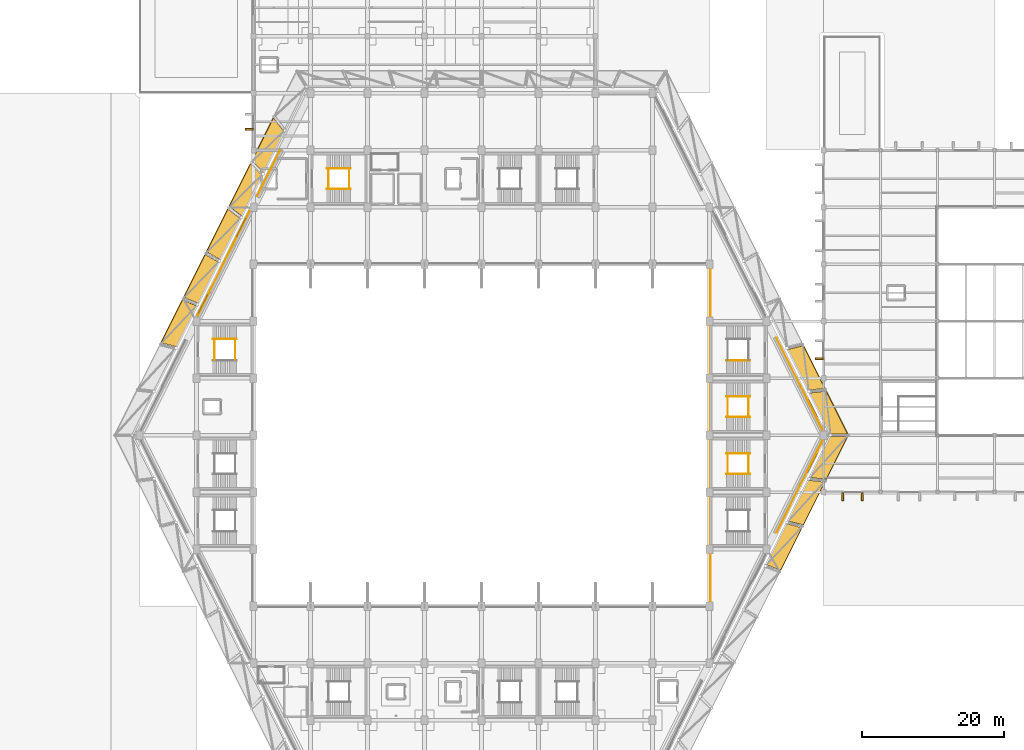
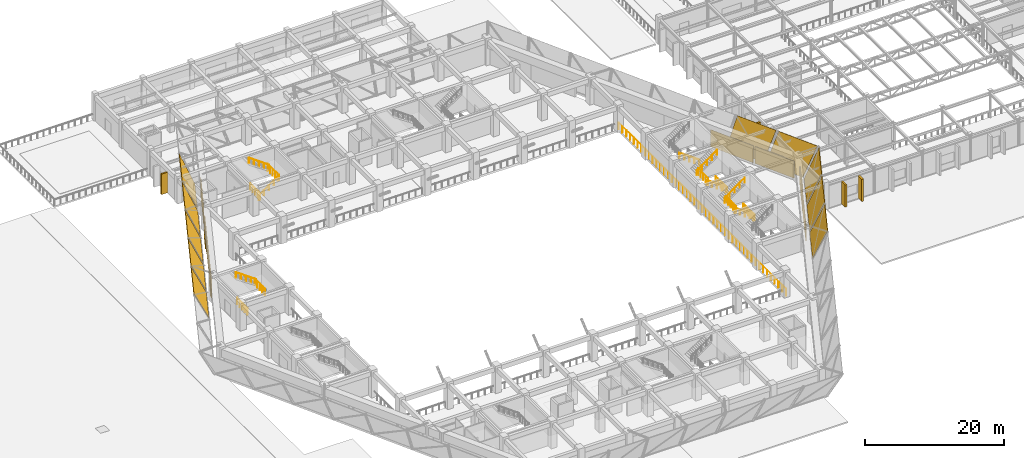
# One storey, part 43 of 46: 22 coverings, 17 railings, 4 shading devices.
"""IFC4 building model written with IfcOpenShell, lengths in metres."""

from ifc_helpers import new_model, si_unit, direction, frame, origin, origin_2d, place, context, subcontext, project, spatial, polyline, rectangle, circle, outline, extrude, material, layer, layer_set, type_object, element, save


model = new_model("IFC4")

# Units and contexts
model_context = context("Model", 3, precision=1e-05, world=origin(), true_north=direction((0.0, 1.0)))
body_context = subcontext(model_context, "Body", "Model", "MODEL_VIEW")
ifc_project = project(units=[si_unit("LENGTHUNIT", "METRE"), si_unit("AREAUNIT", "SQUARE_METRE"), si_unit("VOLUMEUNIT", "CUBIC_METRE"), si_unit("PLANEANGLEUNIT", "RADIAN"), si_unit("MASSUNIT", "GRAM", prefix="KILO")], contexts=[model_context])

# Site, building, storey
site_placement = place(None, origin())
site = spatial("IfcSite", under=ifc_project, at=site_placement, CompositionType="ELEMENT")
building_placement = place(site_placement, origin())
building = spatial("IfcBuilding", under=site, at=building_placement, Name="Tazarka Park Arena", CompositionType="ELEMENT")
storey_placement = place(building_placement, frame((0.0, 0.0, 10.199951171875)))
storey = spatial("IfcBuildingStorey", under=building, at=storey_placement, Name="L02", CompositionType="ELEMENT", Elevation=10.199951171875)

# Coverings
ifc_material_1 = material(Name="Dark ribbed perforated bronze-charcoal aluminium mesh", Category="aluminium")
ifc_layer = layer(ifc_material_1, 0.06005859375, Name="Dark ribbed perforated bronze-charcoal aluminium mesh")
ifc_layer_set = layer_set([ifc_layer], Name="Dark ribbed perforated bronze-charcoal aluminium mesh")
covering_type = type_object("IfcCoveringType", Name="CLD-01", PredefinedType="CLADDING", material=ifc_layer_set)
covering_1_placement = place(storey_placement, frame((127.935302734375, 45.858154296875, 0.150146484375), z_axis=(-0.808492620467, 0.404263181245, 0.427680912526), x_axis=(0.447225795617, 0.894421090814, -6.453659e-06)))
element("IfcCovering", 1, at=covering_1_placement, inside=storey, type_object=covering_type, Name="Folded Gem Lower Ribbed Mesh Facet 014", PredefinedType="CLADDING", context=body_context, shape_type="SweptSolid", body=[
    extrude(outline(polyline([(0.0, 0.0), (6.396486447603053, 0.0), (6.871760077339094, -5.1441459541580175), (0.18746722109252506, -5.144052563182119), (0.0, 0.0)])), origin(), (0.0, 0.0, -1.0), 0.080078125),
])
covering_2_placement = place(storey_placement, frame((130.991455078125, 51.970703125, 0.150146484375), z_axis=(-0.808498343204, 0.404240736212, 0.427691309502), x_axis=(0.447207495521, 0.894430240958, 3.226863e-06)))
element("IfcCovering", 2, at=covering_2_placement, inside=storey, type_object=covering_type, Name="Folded Gem Lower Ribbed Mesh Facet 015", PredefinedType="CLADDING", context=body_context, shape_type="SweptSolid", body=[
    extrude(outline(polyline([(0.0, 0.0), (6.396486448149249, 0.0), (7.1793286066740025, -5.144099258387312), (0.49492656908388255, -5.144145955010431), (0.0, 0.0)])), origin(), (0.0, 0.0, -1.0), 0.080078125),
])
covering_3_placement = place(storey_placement, frame((134.0478515625, 58.0830078125, 0.150146484375), z_axis=(-0.808506336195, 0.404253168098, 0.427664448388), x_axis=(0.447210803265, 0.894428587087, -6.598426e-06)))
element("IfcCovering", 3, at=covering_3_placement, inside=storey, type_object=covering_type, Name="Folded Gem Lower Ribbed Mesh Facet 016", PredefinedType="CLADDING", context=body_context, shape_type="SweptSolid", body=[
    extrude(outline(polyline([(0.0, 0.0), (6.39670481451516, -2.220446049250313e-16), (7.486859586412662, -5.144107215608335), (0.8023483668891396, -5.144011727342346), (0.0, 0.0)])), origin(), (0.0, 0.0, -1.0), 0.080078125),
])
covering_4_placement = place(storey_placement, frame((136.908447265625, 64.195556640625, 0.150146484375), z_axis=(-0.808506336195, -0.404253168098, 0.427664448388), x_axis=(-0.447210803265, 0.894428587087, 6.598426e-06)))
element("IfcCovering", 4, at=covering_4_placement, inside=storey, type_object=covering_type, Name="Folded Gem Lower Ribbed Mesh Facet 017", PredefinedType="CLADDING", context=body_context, shape_type="SweptSolid", body=[
    extrude(outline(polyline([(0.0, 0.0), (6.39670481451516, 2.220446049250313e-16), (5.59435644762602, -5.144011727342346), (-1.0901547718975038, -5.144107215608335), (0.0, 0.0)])), origin(), (0.0, 0.0, -1.0), 0.080078125),
])
covering_5_placement = place(storey_placement, frame((133.85205078125, 70.30810546875, 0.150146484375), z_axis=(-0.808498343204, -0.404240736212, 0.427691309502), x_axis=(-0.447207495521, 0.894430240958, -3.226863e-06)))
element("IfcCovering", 5, at=covering_5_placement, inside=storey, type_object=covering_type, Name="Folded Gem Lower Ribbed Mesh Facet 018", PredefinedType="CLADDING", context=body_context, shape_type="SweptSolid", body=[
    extrude(outline(polyline([(0.0, 0.0), (6.396486448149249, 0.0), (5.901559879065366, -5.144145955010431), (-0.7828421585247531, -5.144099258387312), (0.0, 0.0)])), origin(), (0.0, 0.0, -1.0), 0.080078125),
])
covering_6_placement = place(storey_placement, frame((60.289794921875, 106.591796875, 0.150146484375), z_axis=(0.808499205731, -0.404241167467, 0.427689271384), x_axis=(-0.447207495508, -0.894430240964, 3.226851e-06)))
element("IfcCovering", 6, at=covering_6_placement, inside=storey, type_object=covering_type, Name="Folded Gem Lower Ribbed Mesh Facet 034", PredefinedType="CLADDING", context=body_context, shape_type="SweptSolid", body=[
    extrude(outline(polyline([(0.0, 0.0), (6.396486448149249, 0.0), (5.642031872099142, -5.144099258496368), (-1.0423701654909792, -5.144145954896959), (0.0, 0.0)])), origin(), (0.0, 0.0, -1.0), 0.080078125),
])
covering_7_placement = place(storey_placement, frame((57.2333984375, 100.4794921875, 0.150146484375), z_axis=(0.808506336195, -0.404253168098, 0.427664448388), x_axis=(-0.447210803265, -0.894428587087, -6.598426e-06)))
element("IfcCovering", 7, at=covering_7_placement, inside=storey, type_object=covering_type, Name="Folded Gem Lower Ribbed Mesh Facet 035", PredefinedType="CLADDING", context=body_context, shape_type="SweptSolid", body=[
    extrude(outline(polyline([(0.0, 0.0), (6.39670481451516, -2.220446049250313e-16), (5.949562851922514, -5.144095993884062), (-0.7349483676010086, -5.144000505618074), (0.0, 0.0)])), origin(), (0.0, 0.0, -1.0), 0.080078125),
])
covering_8_placement = place(storey_placement, frame((54.17724609375, 94.366943359375, 0.150146484375), z_axis=(0.808506063498, -0.404236161161, 0.427681039207), x_axis=(-0.447198603137, -0.894434687024, -1.45126e-07)))
element("IfcCovering", 8, at=covering_8_placement, inside=storey, type_object=covering_type, Name="Folded Gem Lower Ribbed Mesh Facet 036", PredefinedType="CLADDING", context=body_context, shape_type="SweptSolid", body=[
    extrude(outline(polyline([(0.0, 0.0), (6.39670481527617, 0.0), (6.256913015069454, -5.144098238337329), (-0.4274890228573095, -5.144096138167544), (0.0, 0.0)])), origin(), (0.0, 0.0, -1.0), 0.080078125),
])
covering_9_placement = place(storey_placement, frame((51.12109375, 88.25439453125, 0.150146484375), z_axis=(0.808491348866, -0.404237239117, 0.427707836402), x_axis=(-0.447207495626, -0.894430240905, 3.22696e-06)))
element("IfcCovering", 9, at=covering_9_placement, inside=storey, type_object=covering_type, Name="Folded Gem Lower Ribbed Mesh Facet 037", PredefinedType="CLADDING", context=body_context, shape_type="SweptSolid", body=[
    extrude(outline(polyline([(0.0, 0.0), (6.396486448149252, 0.0), (6.564409912844055, -5.144145954964716), (-0.11999212474605535, -5.144192653392291), (0.0, 0.0)])), origin(), (0.0, 0.0, -1.0), 0.080078125),
])
covering_10_placement = place(storey_placement, frame((48.064697265625, 82.141845703125, 0.150146484375), z_axis=(0.808492620467, -0.404263181245, 0.427680912526), x_axis=(-0.447225795617, -0.894421090814, -6.453659e-06)))
element("IfcCovering", 10, at=covering_10_placement, inside=storey, type_object=covering_type, Name="Folded Gem Lower Ribbed Mesh Facet 038", PredefinedType="CLADDING", context=body_context, shape_type="SweptSolid", body=[
    extrude(outline(polyline([(0.0, 0.0), (6.396486447603053, 0.0), (6.871760077339094, -5.1441459541580175), (0.18746722109252506, -5.144052563182119), (0.0, 0.0)])), origin(), (0.0, 0.0, -1.0), 0.080078125),
])
covering_11_placement = place(storey_placement, frame((131.049560546875, 74.3818359375, 0.0), z_axis=(0.0, 0.0, 1.0), x_axis=(0.447290848419, -0.89438856037, 0.0)))
element("IfcCovering", 11, at=covering_11_placement, inside=storey, type_object=covering_type, Name="Ribbed Metal Mesh Cladding EW-L02-0220", PredefinedType="CLADDING", context=body_context, shape_type="SweptSolid", body=[
    extrude(rectangle(XDim=7.366455078125, YDim=0.06005859375, at=origin_2d()), origin(), (0.0, 0.0, 1.0), 3.0),
])
covering_12_placement = place(storey_placement, frame((134.341796875, 67.819091796875, 0.0), z_axis=(0.0, 0.0, 1.0), x_axis=(0.447290848419, -0.89438856037, 0.0)))
element("IfcCovering", 12, at=covering_12_placement, inside=storey, type_object=covering_type, Name="Ribbed Metal Mesh Cladding EW-L02-0221", PredefinedType="CLADDING", context=body_context, shape_type="SweptSolid", body=[
    extrude(rectangle(XDim=6.718017578125, YDim=0.06005859375, at=origin_2d()), origin(), (0.0, 0.0, 1.0), 3.0),
])
covering_13_placement = place(storey_placement, frame((55.385009765625, 106.919921875, 0.0), z_axis=(0.0, 0.0, 1.0), x_axis=(0.0, 1.0, 0.0)))
element("IfcCovering", 13, at=covering_13_placement, inside=storey, type_object=covering_type, Name="Window Reveal Brise-Soleil Fin L02-0037-1", PredefinedType="CLADDING", context=body_context, shape_type="SweptSolid", body=[
    extrude(rectangle(XDim=0.280029296875, YDim=1.10009765625, at=origin_2d()), origin(), (0.0, 0.0, 1.0), 3.60009765625),
])
covering_14_placement = place(storey_placement, frame((48.95263671875, 82.38623046875, 0.0), z_axis=(0.0, 0.0, 1.0), x_axis=(0.447290848419, 0.89438856037, 0.0)))
element("IfcCovering", 14, at=covering_14_placement, inside=storey, type_object=covering_type, Name="Ribbed Metal Mesh Cladding EW-L02-0236", PredefinedType="CLADDING", context=body_context, shape_type="SweptSolid", body=[
    extrude(rectangle(XDim=3.523681640625, YDim=0.06005859375, at=origin_2d()), origin(), (0.0, 0.0, 1.0), 3.0),
])
covering_15_placement = place(storey_placement, frame((51.46533203125, 87.43408203125, 0.0), z_axis=(0.0, 0.0, 1.0), x_axis=(0.447290848419, 0.89438856037, 0.0)))
element("IfcCovering", 15, at=covering_15_placement, inside=storey, type_object=covering_type, Name="Ribbed Metal Mesh Cladding EW-L02-0237", PredefinedType="CLADDING", context=body_context, shape_type="SweptSolid", body=[
    extrude(rectangle(XDim=7.153564453125, YDim=0.06005859375, at=origin_2d()), origin(), (0.0, 0.0, 1.0), 3.0),
])
covering_16_placement = place(storey_placement, frame((54.31591796875, 93.146240234375, 0.0), z_axis=(0.0, 0.0, 1.0), x_axis=(0.447290848419, 0.89438856037, 0.0)))
element("IfcCovering", 16, at=covering_16_placement, inside=storey, type_object=covering_type, Name="Ribbed Metal Mesh Cladding EW-L02-0238", PredefinedType="CLADDING", context=body_context, shape_type="SweptSolid", body=[
    extrude(rectangle(XDim=5.014404296875, YDim=0.06005859375, at=origin_2d()), origin(), (0.0, 0.0, 1.0), 3.0),
])
covering_17_placement = place(storey_placement, frame((58.123291015625, 100.771728515625, 0.0), z_axis=(0.0, 0.0, 1.0), x_axis=(0.447290848419, 0.89438856037, 0.0)))
element("IfcCovering", 17, at=covering_17_placement, inside=storey, type_object=covering_type, Name="Ribbed Metal Mesh Cladding EW-L02-0239", PredefinedType="CLADDING", context=body_context, shape_type="SweptSolid", body=[
    extrude(rectangle(XDim=7.153564453125, YDim=0.06005859375, at=origin_2d()), origin(), (0.0, 0.0, 1.0), 3.0),
])
covering_18_placement = place(storey_placement, frame((134.341796875, 60.180908203125, 0.0), z_axis=(0.0, 0.0, 1.0), x_axis=(-0.447290848419, -0.89438856037, 0.0)))
element("IfcCovering", 18, at=covering_18_placement, inside=storey, type_object=covering_type, Name="Ribbed Metal Mesh Cladding EW-L02-0253", PredefinedType="CLADDING", context=body_context, shape_type="SweptSolid", body=[
    extrude(rectangle(XDim=6.718017578125, YDim=0.06005859375, at=origin_2d()), origin(), (0.0, 0.0, 1.0), 3.0),
])
covering_19_placement = place(storey_placement, frame((131.06298828125, 53.611328125, 0.0), z_axis=(0.0, 0.0, 1.0), x_axis=(-0.447290848419, -0.89438856037, 0.0)))
element("IfcCovering", 19, at=covering_19_placement, inside=storey, type_object=covering_type, Name="Ribbed Metal Mesh Cladding EW-L02-0254", PredefinedType="CLADDING", context=body_context, shape_type="SweptSolid", body=[
    extrude(rectangle(XDim=7.366455078125, YDim=0.06005859375, at=origin_2d()), origin(), (0.0, 0.0, 1.0), 3.0),
])
for number, where, z_axis, x_axis, name in (
    (20, (135.409912109375, 74.719970703125, 0.0), (0.0, 0.0, 1.0), (0.0, 1.0, 0.0), "Window Reveal Brise-Soleil Fin L02-0039-1"),
    (21, (141.4658203125, 55.385009765625, 0.0), (0.0, 0.0, 1.0), (-1.0, 0.0, 0.0), "Window Reveal Brise-Soleil Fin L02-0040-1"),
    (22, (138.705810546875, 55.385009765625, 0.0), (0.0, 0.0, 1.0), (-1.0, 0.0, 0.0), "Window Reveal Brise-Soleil Fin L02-0040-2"),
):
    element("IfcCovering", number, at=place(storey_placement, frame(where, z_axis=z_axis, x_axis=x_axis)), inside=storey, type_object=covering_type, Name=name, PredefinedType="CLADDING", context=body_context, shape_type="SweptSolid", body=[
        extrude(rectangle(XDim=0.280029296875, YDim=1.10009765625, at=origin_2d()), origin(), (0.0, 0.0, 1.0), 3.909912109375),
    ])

# Railings
ifc_material_2 = material(Name="Brushed architectural stainless steel", Category="steel")
railing_type_1 = type_object("IfcRailingType", Name="HR-01", PredefinedType="HANDRAIL", material=ifc_material_2)
railing_1_placement = place(storey_placement, frame((125.68505859375, 58.550048828125, 0.0)))
element("IfcRailing", 23, at=railing_1_placement, inside=storey, type_object=railing_type_1, Name="Stair Handrail ST12-L02-F1", PredefinedType="HANDRAIL", context=body_context, shape_type="SweptSolid", body=[
    extrude(circle(Radius=0.02392578125, at=origin_2d()), frame((0.0, 0.0, 0.89599609375), z_axis=(-0.809980229442, 0.0, 0.586457183359), x_axis=(0.0, -1.0, 0.0)), (0.0, 0.0, 1.0), 4.092529296875),
    extrude(circle(Radius=0.02099609375, at=origin_2d()), origin(), (0.0, 0.0, 1.0), 0.871826171875),
    extrude(circle(Radius=0.02099609375, at=origin_2d()), frame((-0.82861328125, 0.0, 0.60009765625)), (0.0, 0.0, 1.0), 0.871826171875),
    extrude(circle(Radius=0.02099609375, at=origin_2d()), frame((-1.657470703125, 0.0, 1.2001953125)), (0.0, 0.0, 1.0), 0.871826171875),
    extrude(circle(Radius=0.02099609375, at=origin_2d()), frame((-2.486328125, 0.0, 1.800048828125)), (0.0, 0.0, 1.0), 0.871826171875),
    extrude(circle(Radius=0.02099609375, at=origin_2d()), frame((-3.31494140625, 0.0, 2.400146484375)), (0.0, 0.0, 1.0), 0.871826171875),
])
railing_2_placement = place(storey_placement, frame((122.3701171875, 61.449951171875, 2.400146484375)))
element("IfcRailing", 24, at=railing_2_placement, inside=storey, type_object=railing_type_1, Name="Stair Handrail ST12-L02-F2", PredefinedType="HANDRAIL", context=body_context, shape_type="SweptSolid", body=[
    extrude(circle(Radius=0.02392578125, at=origin_2d()), frame((0.0, 0.0, 0.89599609375), z_axis=(0.810008566192, 0.0, 0.586418044312), x_axis=(0.0, 1.0, 0.0)), (0.0, 0.0, 1.0), 4.092529296875),
    extrude(circle(Radius=0.02099609375, at=origin_2d()), origin(), (0.0, 0.0, 1.0), 0.871826171875),
    extrude(circle(Radius=0.02099609375, at=origin_2d()), frame((0.82861328125, 0.0, 0.60009765625)), (0.0, 0.0, 1.0), 0.871826171875),
    extrude(circle(Radius=0.02099609375, at=origin_2d()), frame((1.657470703125, 0.0, 1.199951171875)), (0.0, 0.0, 1.0), 0.871826171875),
    extrude(circle(Radius=0.02099609375, at=origin_2d()), frame((2.486328125, 0.0, 1.7998046875)), (0.0, 0.0, 1.0), 0.871826171875),
    extrude(circle(Radius=0.02099609375, at=origin_2d()), frame((3.31494140625, 0.0, 2.39990234375)), (0.0, 0.0, 1.0), 0.871826171875),
])
railing_3_placement = place(storey_placement, frame((66.31494140625, 98.550048828125, 0.0)))
element("IfcRailing", 25, at=railing_3_placement, inside=storey, type_object=railing_type_1, Name="Stair Handrail ST14-L02-F1", PredefinedType="HANDRAIL", context=body_context, shape_type="SweptSolid", body=[
    extrude(circle(Radius=0.02392578125, at=origin_2d()), frame((0.0, 0.0, 0.89599609375), z_axis=(0.809980229442, 0.0, 0.586457183359), x_axis=(0.0, 1.0, 0.0)), (0.0, 0.0, 1.0), 4.092529296875),
    extrude(circle(Radius=0.02099609375, at=origin_2d()), origin(), (0.0, 0.0, 1.0), 0.871826171875),
    extrude(circle(Radius=0.02099609375, at=origin_2d()), frame((0.82861328125, 0.0, 0.60009765625)), (0.0, 0.0, 1.0), 0.871826171875),
    extrude(circle(Radius=0.02099609375, at=origin_2d()), frame((1.657470703125, 0.0, 1.2001953125)), (0.0, 0.0, 1.0), 0.871826171875),
    extrude(circle(Radius=0.02099609375, at=origin_2d()), frame((2.486328125, 0.0, 1.800048828125)), (0.0, 0.0, 1.0), 0.871826171875),
    extrude(circle(Radius=0.02099609375, at=origin_2d()), frame((3.31494140625, 0.0, 2.400146484375)), (0.0, 0.0, 1.0), 0.871826171875),
])
railing_4_placement = place(storey_placement, frame((69.6298828125, 101.449951171875, 2.400146484375)))
element("IfcRailing", 26, at=railing_4_placement, inside=storey, type_object=railing_type_1, Name="Stair Handrail ST14-L02-F2", PredefinedType="HANDRAIL", context=body_context, shape_type="SweptSolid", body=[
    extrude(circle(Radius=0.02392578125, at=origin_2d()), frame((0.0, 0.0, 0.89599609375), z_axis=(-0.810008566192, 0.0, 0.586418044312), x_axis=(0.0, -1.0, 0.0)), (0.0, 0.0, 1.0), 4.092529296875),
    extrude(circle(Radius=0.02099609375, at=origin_2d()), origin(), (0.0, 0.0, 1.0), 0.871826171875),
    extrude(circle(Radius=0.02099609375, at=origin_2d()), frame((-0.82861328125, 0.0, 0.60009765625)), (0.0, 0.0, 1.0), 0.871826171875),
    extrude(circle(Radius=0.02099609375, at=origin_2d()), frame((-1.657470703125, 0.0, 1.199951171875)), (0.0, 0.0, 1.0), 0.871826171875),
    extrude(circle(Radius=0.02099609375, at=origin_2d()), frame((-2.486328125, 0.0, 1.7998046875)), (0.0, 0.0, 1.0), 0.871826171875),
    extrude(circle(Radius=0.02099609375, at=origin_2d()), frame((-3.31494140625, 0.0, 2.39990234375)), (0.0, 0.0, 1.0), 0.871826171875),
])
railing_5_placement = place(storey_placement, frame((125.68505859375, 66.550048828125, 0.0)))
element("IfcRailing", 27, at=railing_5_placement, inside=storey, type_object=railing_type_1, Name="Stair Handrail ST16-L02-F1", PredefinedType="HANDRAIL", context=body_context, shape_type="SweptSolid", body=[
    extrude(circle(Radius=0.02392578125, at=origin_2d()), frame((0.0, 0.0, 0.89599609375), z_axis=(-0.809980229442, 0.0, 0.586457183359), x_axis=(0.0, -1.0, 0.0)), (0.0, 0.0, 1.0), 4.092529296875),
    extrude(circle(Radius=0.02099609375, at=origin_2d()), origin(), (0.0, 0.0, 1.0), 0.871826171875),
    extrude(circle(Radius=0.02099609375, at=origin_2d()), frame((-0.82861328125, 0.0, 0.60009765625)), (0.0, 0.0, 1.0), 0.871826171875),
    extrude(circle(Radius=0.02099609375, at=origin_2d()), frame((-1.657470703125, 0.0, 1.2001953125)), (0.0, 0.0, 1.0), 0.871826171875),
    extrude(circle(Radius=0.02099609375, at=origin_2d()), frame((-2.486328125, 0.0, 1.800048828125)), (0.0, 0.0, 1.0), 0.871826171875),
    extrude(circle(Radius=0.02099609375, at=origin_2d()), frame((-3.31494140625, 0.0, 2.400146484375)), (0.0, 0.0, 1.0), 0.871826171875),
])
railing_6_placement = place(storey_placement, frame((122.3701171875, 69.449951171875, 2.400146484375)))
element("IfcRailing", 28, at=railing_6_placement, inside=storey, type_object=railing_type_1, Name="Stair Handrail ST16-L02-F2", PredefinedType="HANDRAIL", context=body_context, shape_type="SweptSolid", body=[
    extrude(circle(Radius=0.02392578125, at=origin_2d()), frame((0.0, 0.0, 0.89599609375), z_axis=(0.810008566192, 0.0, 0.586418044312), x_axis=(0.0, 1.0, 0.0)), (0.0, 0.0, 1.0), 4.092529296875),
    extrude(circle(Radius=0.02099609375, at=origin_2d()), origin(), (0.0, 0.0, 1.0), 0.871826171875),
    extrude(circle(Radius=0.02099609375, at=origin_2d()), frame((0.82861328125, 0.0, 0.60009765625)), (0.0, 0.0, 1.0), 0.871826171875),
    extrude(circle(Radius=0.02099609375, at=origin_2d()), frame((1.657470703125, 0.0, 1.199951171875)), (0.0, 0.0, 1.0), 0.871826171875),
    extrude(circle(Radius=0.02099609375, at=origin_2d()), frame((2.486328125, 0.0, 1.7998046875)), (0.0, 0.0, 1.0), 0.871826171875),
    extrude(circle(Radius=0.02099609375, at=origin_2d()), frame((3.31494140625, 0.0, 2.39990234375)), (0.0, 0.0, 1.0), 0.871826171875),
])
railing_7_placement = place(storey_placement, frame((53.6298828125, 77.489990234375, 2.400146484375)))
element("IfcRailing", 29, at=railing_7_placement, inside=storey, type_object=railing_type_1, Name="Stair Handrail ST20-L02-F2", PredefinedType="HANDRAIL", context=body_context, shape_type="SweptSolid", body=[
    extrude(circle(Radius=0.02392578125, at=origin_2d()), frame((0.0, 0.0, 0.89599609375), z_axis=(-0.810008566192, 0.0, 0.586418044312), x_axis=(0.0, -1.0, 0.0)), (0.0, 0.0, 1.0), 4.092529296875),
    extrude(circle(Radius=0.02099609375, at=origin_2d()), origin(), (0.0, 0.0, 1.0), 0.871826171875),
    extrude(circle(Radius=0.02099609375, at=origin_2d()), frame((-0.82861328125, 0.0, 0.60009765625)), (0.0, 0.0, 1.0), 0.871826171875),
    extrude(circle(Radius=0.02099609375, at=origin_2d()), frame((-1.657470703125, 0.0, 1.199951171875)), (0.0, 0.0, 1.0), 0.871826171875),
    extrude(circle(Radius=0.02099609375, at=origin_2d()), frame((-2.486328125, 0.0, 1.7998046875)), (0.0, 0.0, 1.0), 0.871826171875),
    extrude(circle(Radius=0.02099609375, at=origin_2d()), frame((-3.31494140625, 0.0, 2.39990234375)), (0.0, 0.0, 1.0), 0.871826171875),
])
railing_8_placement = place(storey_placement, frame((125.68505859375, 74.510009765625, 0.0)))
element("IfcRailing", 30, at=railing_8_placement, inside=storey, type_object=railing_type_1, Name="Stair Handrail ST22-L02-F1", PredefinedType="HANDRAIL", context=body_context, shape_type="SweptSolid", body=[
    extrude(circle(Radius=0.02392578125, at=origin_2d()), frame((0.0, 0.0, 0.89599609375), z_axis=(-0.809980229442, 0.0, 0.586457183359), x_axis=(0.0, -1.0, 0.0)), (0.0, 0.0, 1.0), 4.092529296875),
    extrude(circle(Radius=0.02099609375, at=origin_2d()), origin(), (0.0, 0.0, 1.0), 0.871826171875),
    extrude(circle(Radius=0.02099609375, at=origin_2d()), frame((-0.82861328125, 0.0, 0.60009765625)), (0.0, 0.0, 1.0), 0.871826171875),
    extrude(circle(Radius=0.02099609375, at=origin_2d()), frame((-1.657470703125, 0.0, 1.2001953125)), (0.0, 0.0, 1.0), 0.871826171875),
    extrude(circle(Radius=0.02099609375, at=origin_2d()), frame((-2.486328125, 0.0, 1.800048828125)), (0.0, 0.0, 1.0), 0.871826171875),
    extrude(circle(Radius=0.02099609375, at=origin_2d()), frame((-3.31494140625, 0.0, 2.400146484375)), (0.0, 0.0, 1.0), 0.871826171875),
])
ifc_material_3 = material(Name="Galvanised powder-coated architectural steel", Category="steel")
railing_type_2 = type_object("IfcRailingType", Name="IGR-01", PredefinedType="GUARDRAIL", material=ifc_material_3)
for number, where, name in (
    (31, (125.485107421875, 58.550048828125, 0.0), "Stair Well Guardrail ST12-L02"),
    (32, (122.570068359375, 58.550048828125, 2.400146484375), "Landing Guardrail ST12-L02-M"),
    (33, (66.514892578125, 98.550048828125, 0.0), "Stair Well Guardrail ST14-L02"),
    (34, (69.429931640625, 98.550048828125, 2.400146484375), "Landing Guardrail ST14-L02-M"),
    (35, (125.485107421875, 66.550048828125, 0.0), "Stair Well Guardrail ST16-L02"),
    (36, (122.570068359375, 66.550048828125, 2.400146484375), "Landing Guardrail ST16-L02-M"),
):
    element("IfcRailing", number, at=place(storey_placement, frame(where)), inside=storey, type_object=railing_type_2, Name=name, PredefinedType="GUARDRAIL", context=body_context, shape_type="SweptSolid", body=[
        extrude(circle(Radius=0.02392578125, at=origin_2d()), frame((0.0, 0.0, 1.1259765625), z_axis=(0.0, 1.0, 0.0), x_axis=(-1.0, 0.0, 0.0)), (0.0, 0.0, 1.0), 2.89990234375),
        extrude(circle(Radius=0.02099609375, at=origin_2d()), origin(), (0.0, 0.0, 1.0), 1.101806640625),
        extrude(circle(Radius=0.02099609375, at=origin_2d()), frame((0.0, 0.72509765625, 0.0)), (0.0, 0.0, 1.0), 1.101806640625),
        extrude(circle(Radius=0.02099609375, at=origin_2d()), frame((0.0, 1.449951171875, 0.0)), (0.0, 0.0, 1.0), 1.101806640625),
        extrude(circle(Radius=0.02099609375, at=origin_2d()), frame((0.0, 2.1748046875, 0.0)), (0.0, 0.0, 1.0), 1.101806640625),
        extrude(circle(Radius=0.02099609375, at=origin_2d()), frame((0.0, 2.89990234375, 0.0)), (0.0, 0.0, 1.0), 1.101806640625),
    ])
for number, where, name in (
    (37, (50.514892578125, 74.510009765625, 0.0), "Stair Well Guardrail ST20-L02"),
    (38, (53.429931640625, 74.510009765625, 2.400146484375), "Landing Guardrail ST20-L02-M"),
):
    element("IfcRailing", number, at=place(storey_placement, frame(where)), inside=storey, type_object=railing_type_2, Name=name, PredefinedType="GUARDRAIL", context=body_context, shape_type="SweptSolid", body=[
        extrude(circle(Radius=0.02392578125, at=origin_2d()), frame((0.0, 0.0, 1.1259765625), z_axis=(0.0, 1.0, 0.0), x_axis=(-1.0, 0.0, 0.0)), (0.0, 0.0, 1.0), 2.97998046875),
        extrude(circle(Radius=0.02099609375, at=origin_2d()), origin(), (0.0, 0.0, 1.0), 1.101806640625),
        extrude(circle(Radius=0.02099609375, at=origin_2d()), frame((0.0, 0.7451171875, 0.0)), (0.0, 0.0, 1.0), 1.101806640625),
        extrude(circle(Radius=0.02099609375, at=origin_2d()), frame((0.0, 1.489990234375, 0.0)), (0.0, 0.0, 1.0), 1.101806640625),
        extrude(circle(Radius=0.02099609375, at=origin_2d()), frame((0.0, 2.23486328125, 0.0)), (0.0, 0.0, 1.0), 1.101806640625),
        extrude(circle(Radius=0.02099609375, at=origin_2d()), frame((0.0, 2.97998046875, 0.0)), (0.0, 0.0, 1.0), 1.101806640625),
    ])
railing_9_placement = place(storey_placement, frame((120.1201171875, 39.8798828125, 0.0)))
element("IfcRailing", 39, at=railing_9_placement, inside=storey, type_object=railing_type_2, Name="Interior Barrier Guardrail IGR-01-006", PredefinedType="GUARDRAIL", context=body_context, shape_type="SweptSolid", body=[
    extrude(circle(Radius=0.02392578125, at=origin_2d()), frame((0.0, 0.0, 1.1259765625), z_axis=(0.0, 1.0, 0.0), x_axis=(-1.0, 0.0, 0.0)), (0.0, 0.0, 1.0), 48.240234375),
    extrude(circle(Radius=0.02099609375, at=origin_2d()), origin(), (0.0, 0.0, 1.0), 1.101806640625),
    extrude(circle(Radius=0.02099609375, at=origin_2d()), frame((0.0, 1.096435546875, 0.0)), (0.0, 0.0, 1.0), 1.101806640625),
    extrude(circle(Radius=0.02099609375, at=origin_2d()), frame((0.0, 2.192626953125, 0.0)), (0.0, 0.0, 1.0), 1.101806640625),
    extrude(circle(Radius=0.02099609375, at=origin_2d()), frame((0.0, 3.2890625, 0.0)), (0.0, 0.0, 1.0), 1.101806640625),
    extrude(circle(Radius=0.02099609375, at=origin_2d()), frame((0.0, 4.385498046875, 0.0)), (0.0, 0.0, 1.0), 1.101806640625),
    extrude(circle(Radius=0.02099609375, at=origin_2d()), frame((0.0, 5.48193359375, 0.0)), (0.0, 0.0, 1.0), 1.101806640625),
    extrude(circle(Radius=0.02099609375, at=origin_2d()), frame((0.0, 6.578125, 0.0)), (0.0, 0.0, 1.0), 1.101806640625),
    extrude(circle(Radius=0.02099609375, at=origin_2d()), frame((0.0, 7.674560546875, 0.0)), (0.0, 0.0, 1.0), 1.101806640625),
    extrude(circle(Radius=0.02099609375, at=origin_2d()), frame((0.0, 8.77099609375, 0.0)), (0.0, 0.0, 1.0), 1.101806640625),
    extrude(circle(Radius=0.02099609375, at=origin_2d()), frame((0.0, 9.867431640625, 0.0)), (0.0, 0.0, 1.0), 1.101806640625),
    extrude(circle(Radius=0.02099609375, at=origin_2d()), frame((0.0, 10.963623046875, 0.0)), (0.0, 0.0, 1.0), 1.101806640625),
    extrude(circle(Radius=0.02099609375, at=origin_2d()), frame((0.0, 12.06005859375, 0.0)), (0.0, 0.0, 1.0), 1.101806640625),
    extrude(circle(Radius=0.02099609375, at=origin_2d()), frame((0.0, 13.156494140625, 0.0)), (0.0, 0.0, 1.0), 1.101806640625),
    extrude(circle(Radius=0.02099609375, at=origin_2d()), frame((0.0, 14.252685546875, 0.0)), (0.0, 0.0, 1.0), 1.101806640625),
    extrude(circle(Radius=0.02099609375, at=origin_2d()), frame((0.0, 15.34912109375, 0.0)), (0.0, 0.0, 1.0), 1.101806640625),
    extrude(circle(Radius=0.02099609375, at=origin_2d()), frame((0.0, 16.445556640625, 0.0)), (0.0, 0.0, 1.0), 1.101806640625),
    extrude(circle(Radius=0.02099609375, at=origin_2d()), frame((0.0, 17.5419921875, 0.0)), (0.0, 0.0, 1.0), 1.101806640625),
    extrude(circle(Radius=0.02099609375, at=origin_2d()), frame((0.0, 18.63818359375, 0.0)), (0.0, 0.0, 1.0), 1.101806640625),
    extrude(circle(Radius=0.02099609375, at=origin_2d()), frame((0.0, 19.734619140625, 0.0)), (0.0, 0.0, 1.0), 1.101806640625),
    extrude(circle(Radius=0.02099609375, at=origin_2d()), frame((0.0, 20.8310546875, 0.0)), (0.0, 0.0, 1.0), 1.101806640625),
    extrude(circle(Radius=0.02099609375, at=origin_2d()), frame((0.0, 21.927490234375, 0.0)), (0.0, 0.0, 1.0), 1.101806640625),
    extrude(circle(Radius=0.02099609375, at=origin_2d()), frame((0.0, 23.023681640625, 0.0)), (0.0, 0.0, 1.0), 1.101806640625),
    extrude(circle(Radius=0.02099609375, at=origin_2d()), frame((0.0, 24.1201171875, 0.0)), (0.0, 0.0, 1.0), 1.101806640625),
    extrude(circle(Radius=0.02099609375, at=origin_2d()), frame((0.0, 25.216552734375, 0.0)), (0.0, 0.0, 1.0), 1.101806640625),
    extrude(circle(Radius=0.02099609375, at=origin_2d()), frame((0.0, 26.312744140625, 0.0)), (0.0, 0.0, 1.0), 1.101806640625),
    extrude(circle(Radius=0.02099609375, at=origin_2d()), frame((0.0, 27.4091796875, 0.0)), (0.0, 0.0, 1.0), 1.101806640625),
    extrude(circle(Radius=0.02099609375, at=origin_2d()), frame((0.0, 28.505615234375, 0.0)), (0.0, 0.0, 1.0), 1.101806640625),
    extrude(circle(Radius=0.02099609375, at=origin_2d()), frame((0.0, 29.60205078125, 0.0)), (0.0, 0.0, 1.0), 1.101806640625),
    extrude(circle(Radius=0.02099609375, at=origin_2d()), frame((0.0, 30.6982421875, 0.0)), (0.0, 0.0, 1.0), 1.101806640625),
    extrude(circle(Radius=0.02099609375, at=origin_2d()), frame((0.0, 31.794677734375, 0.0)), (0.0, 0.0, 1.0), 1.101806640625),
    extrude(circle(Radius=0.02099609375, at=origin_2d()), frame((0.0, 32.89111328125, 0.0)), (0.0, 0.0, 1.0), 1.101806640625),
    extrude(circle(Radius=0.02099609375, at=origin_2d()), frame((0.0, 33.987548828125, 0.0)), (0.0, 0.0, 1.0), 1.101806640625),
    extrude(circle(Radius=0.02099609375, at=origin_2d()), frame((0.0, 35.083740234375, 0.0)), (0.0, 0.0, 1.0), 1.101806640625),
    extrude(circle(Radius=0.02099609375, at=origin_2d()), frame((0.0, 36.18017578125, 0.0)), (0.0, 0.0, 1.0), 1.101806640625),
    extrude(circle(Radius=0.02099609375, at=origin_2d()), frame((0.0, 37.276611328125, 0.0)), (0.0, 0.0, 1.0), 1.101806640625),
    extrude(circle(Radius=0.02099609375, at=origin_2d()), frame((0.0, 38.372802734375, 0.0)), (0.0, 0.0, 1.0), 1.101806640625),
    extrude(circle(Radius=0.02099609375, at=origin_2d()), frame((0.0, 39.46923828125, 0.0)), (0.0, 0.0, 1.0), 1.101806640625),
    extrude(circle(Radius=0.02099609375, at=origin_2d()), frame((0.0, 40.565673828125, 0.0)), (0.0, 0.0, 1.0), 1.101806640625),
    extrude(circle(Radius=0.02099609375, at=origin_2d()), frame((0.0, 41.662109375, 0.0)), (0.0, 0.0, 1.0), 1.101806640625),
    extrude(circle(Radius=0.02099609375, at=origin_2d()), frame((0.0, 42.75830078125, 0.0)), (0.0, 0.0, 1.0), 1.101806640625),
    extrude(circle(Radius=0.02099609375, at=origin_2d()), frame((0.0, 43.854736328125, 0.0)), (0.0, 0.0, 1.0), 1.101806640625),
    extrude(circle(Radius=0.02099609375, at=origin_2d()), frame((0.0, 44.951171875, 0.0)), (0.0, 0.0, 1.0), 1.101806640625),
    extrude(circle(Radius=0.02099609375, at=origin_2d()), frame((0.0, 46.047607421875, 0.0)), (0.0, 0.0, 1.0), 1.101806640625),
    extrude(circle(Radius=0.02099609375, at=origin_2d()), frame((0.0, 47.143798828125, 0.0)), (0.0, 0.0, 1.0), 1.101806640625),
    extrude(circle(Radius=0.02099609375, at=origin_2d()), frame((0.0, 48.240234375, 0.0)), (0.0, 0.0, 1.0), 1.101806640625),
])

# Shading devices
ifc_material_4 = material(Name="Dark ribbed perforated bronze-charcoal aluminium mesh", Category="aluminium")
shading_device_type = type_object("IfcShadingDeviceType", Name="SHD-02", PredefinedType="JALOUSIE", material=ifc_material_4)
for number, where, z_axis, x_axis, name in (
    (40, (134.3955078125, 67.845947265625, 0.0), (0.0, 0.0, 1.0), (0.447290848419, -0.89438856037, 0.0), "Perforated Mesh Screen EW-L02-0221"),
    (41, (48.89892578125, 82.4130859375, 0.0), (0.0, 0.0, 1.0), (0.447290848419, 0.89438856037, 0.0), "Perforated Mesh Screen EW-L02-0236"),
    (42, (54.26220703125, 93.173095703125, 0.0), (0.0, 0.0, 1.0), (0.447290848419, 0.89438856037, 0.0), "Perforated Mesh Screen EW-L02-0238"),
    (43, (134.3955078125, 60.154052734375, 0.0), (0.0, 0.0, 1.0), (-0.447290848419, -0.89438856037, 0.0), "Perforated Mesh Screen EW-L02-0253"),
):
    element("IfcShadingDevice", number, at=place(storey_placement, frame(where, z_axis=z_axis, x_axis=x_axis)), inside=storey, type_object=shading_device_type, Name=name, PredefinedType="JALOUSIE", context=body_context, shape_type="SweptSolid", body=[
        extrude(rectangle(XDim=3.0, YDim=0.139892578125, at=origin_2d()), origin(), (0.0, 0.0, 1.0), 3.0),
    ])

save(model, "model.ifc")
